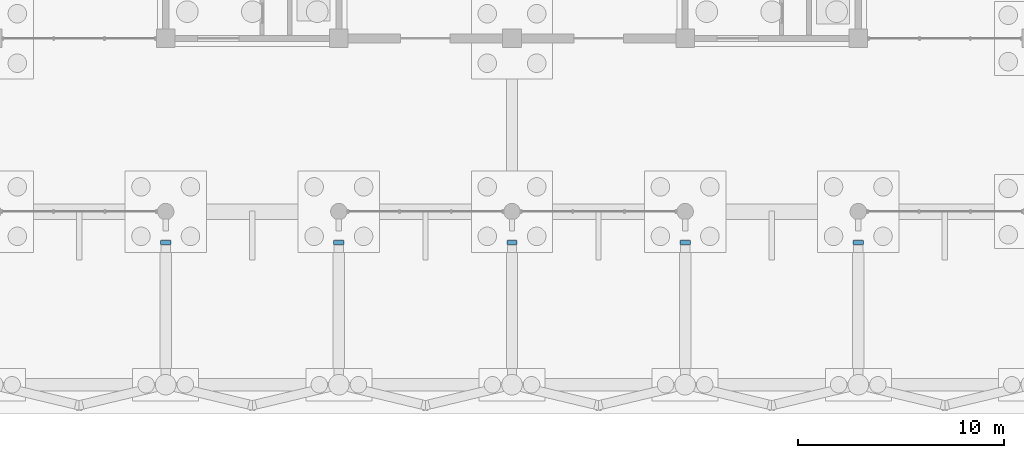
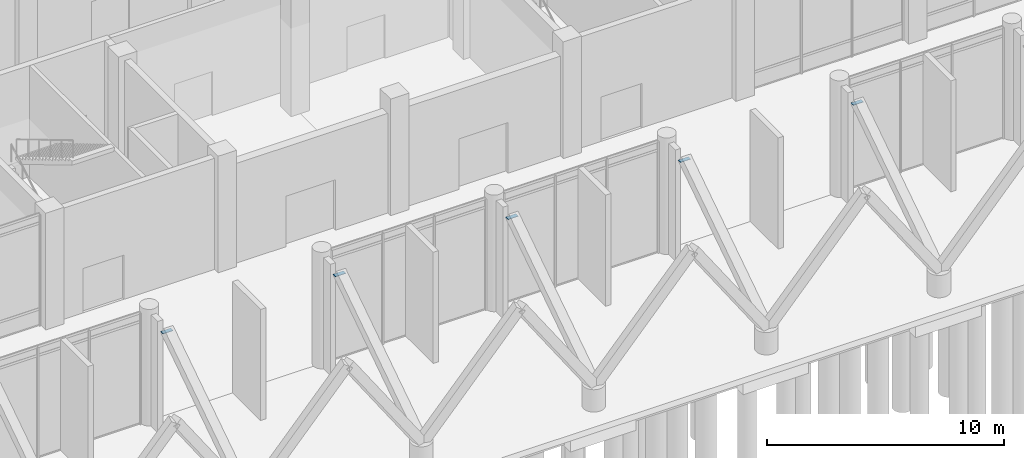
# One storey, part 66 of 72: 5 discrete accessories.
"""IFC4 building model written with IfcOpenShell, lengths in metres."""

from ifc_helpers import new_model, si_unit, direction, frame, origin, origin_2d, place, context, subcontext, project, spatial, rectangle, extrude, material, type_object, element, save


model = new_model("IFC4")

# Units and contexts
model_context = context("Model", 3, precision=1e-05, world=origin(), true_north=direction((0.0, 1.0)))
body_context = subcontext(model_context, "Body", "Model", "MODEL_VIEW")
ifc_project = project(units=[si_unit("LENGTHUNIT", "METRE"), si_unit("AREAUNIT", "SQUARE_METRE"), si_unit("VOLUMEUNIT", "CUBIC_METRE"), si_unit("PLANEANGLEUNIT", "RADIAN"), si_unit("MASSUNIT", "GRAM", prefix="KILO")], contexts=[model_context])

# Site, building, storey
site_placement = place(None, origin())
site = spatial("IfcSite", under=ifc_project, at=site_placement, CompositionType="ELEMENT")
building_placement = place(site_placement, origin())
building = spatial("IfcBuilding", under=site, at=building_placement, Name="Qawsi Khor Wholesale Market", CompositionType="ELEMENT")
storey_placement = place(building_placement, origin())
storey = spatial("IfcBuildingStorey", under=building, at=storey_placement, Name="L00", CompositionType="ELEMENT", Elevation=0.0)

# Discrete accessories
ifc_material = material(Name="Steel S355", Category="steel")
discrete_accessory_type = type_object("IfcDiscreteAccessoryType", Name="Strut Head Seat Plate 25 S355", PredefinedType="BRACKET", material=ifc_material)
for number, where, z_axis, x_axis, name in (
    (1, (92.39990234375, -1.5, 5.505126953125), (0.0, 0.0, 1.0), (1.0, 0.0, 0.0), "Back-strut 11 head seat plate"),
    (2, (100.800048828125, -1.5, 5.505126953125), (0.0, 0.0, 1.0), (1.0, 0.0, 0.0), "Back-strut 12 head seat plate"),
    (3, (109.199951171875, -1.5, 5.505126953125), (0.0, 0.0, 1.0), (1.0, 0.0, 0.0), "Back-strut 13 head seat plate"),
    (4, (117.60009765625, -1.5, 5.505126953125), (0.0, 0.0, 1.0), (1.0, 0.0, 0.0), "Back-strut 14 head seat plate"),
    (5, (126.0, -1.5, 5.505126953125), (0.0, 0.0, 1.0), (1.0, 0.0, 0.0), "Back-strut 15 head seat plate"),
):
    element("IfcDiscreteAccessory", number, at=place(storey_placement, frame(where, z_axis=z_axis, x_axis=x_axis)), inside=storey, type_object=discrete_accessory_type, Name=name, PredefinedType="BRACKET", context=body_context, shape_type="SweptSolid", body=[
        extrude(rectangle(XDim=0.5, YDim=0.199951171875, at=origin_2d()), origin(), (0.0, 0.0, 1.0), 0.02490234375),
    ])

save(model, "model.ifc")
